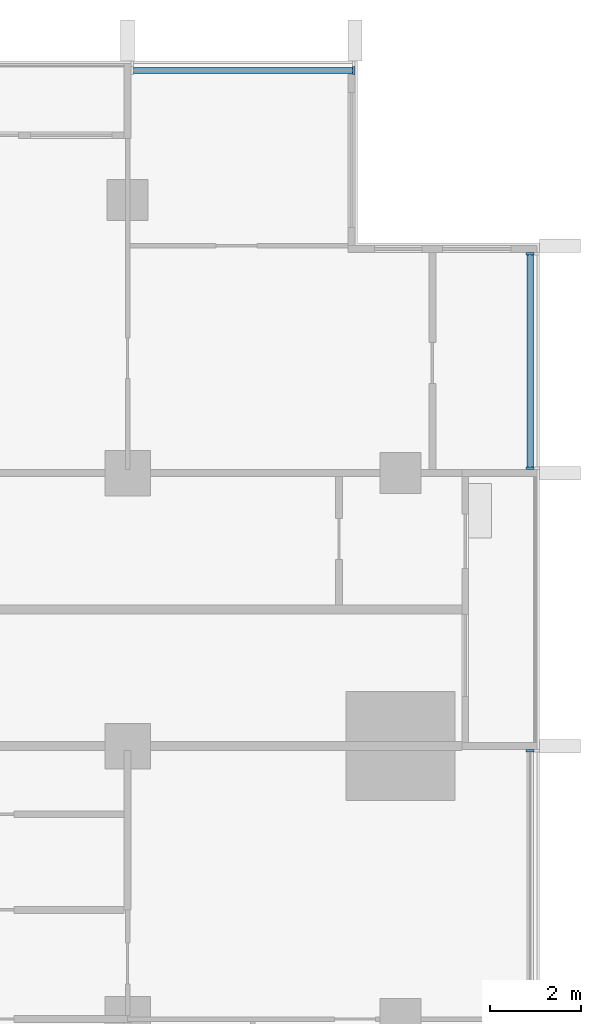
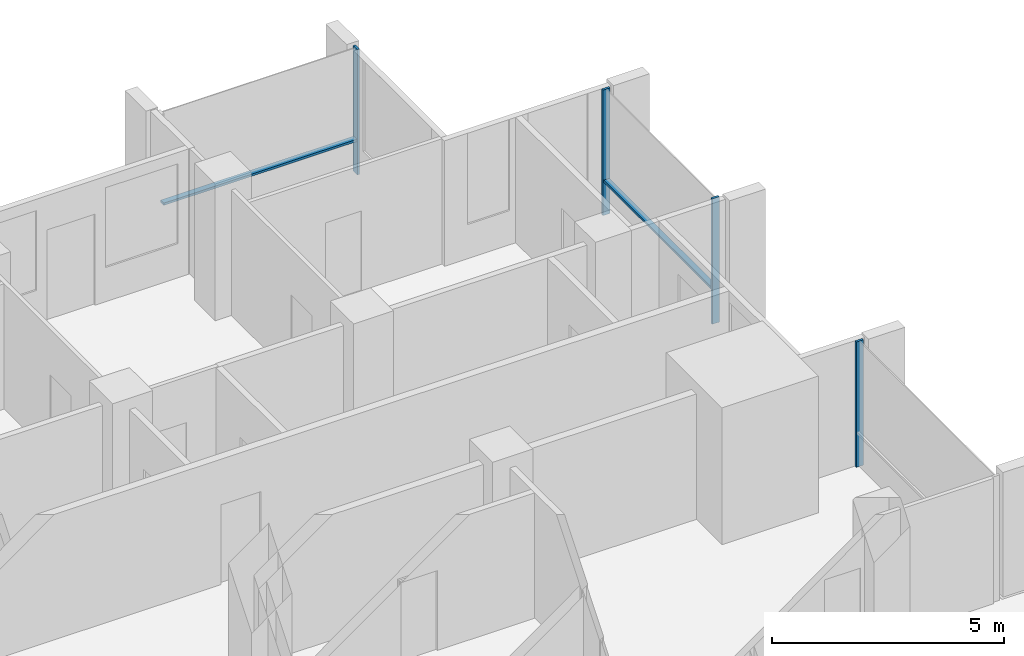
# One storey, part 5 of 16: 6 members, 3 elements without a shape of their own.
"""IFC4 building model written with IfcOpenShell, lengths in metres."""

import ifcopenshell
import ifcopenshell.guid

model = None  # the IFC model being written
_history = None  # IfcOwnerHistory: only IFC2X3 demands one
_inside = {}  # id of a spatial element -> (the spatial element, [elements in it])
_under = {}  # id of a project, library or spatial element -> (it, [spatial elements below it])
_declared = {}  # id of a project -> (the project, [libraries it declares])
_typed = {}  # id of a type object -> (the type object, [elements of that type])
_made_of = {}  # id of a material, layer set ... -> (it, [elements and type objects made of it])


def new_model(schema):
    """Start an empty IFC model of exactly this schema.

    Asked for "IFC4X3", IfcOpenShell would pick the latest addendum, in which some entities
    have other attributes; the version numbers below select the first issue.
    IFC2X3 requires an IfcOwnerHistory on every rooted entity: one is made here for all.
    """
    global model, _history
    if schema == "IFC4X3":
        model = ifcopenshell.file(schema_version=(4, 3, 0, 0))
    else:
        model = ifcopenshell.file(schema=schema)
    _inside.clear()
    _under.clear()
    _declared.clear()
    _typed.clear()
    _made_of.clear()
    _history = None
    if model.schema == "IFC2X3":
        org = make("IfcOrganization", Name="unknown")
        user = make(
            "IfcPersonAndOrganization",
            ThePerson=make("IfcPerson", FamilyName="unknown"),
            TheOrganization=org,
        )
        app = make(
            "IfcApplication",
            ApplicationDeveloper=org,
            Version="unknown",
            ApplicationFullName="unknown",
            ApplicationIdentifier="unknown",
        )
        _history = make(
            "IfcOwnerHistory",
            OwningUser=user,
            OwningApplication=app,
            ChangeAction="ADDED",
            CreationDate=0,
        )
    return model


def make(cls, **values):
    """One entity of the class cls with the attributes given. An attribute that is None is left unset."""
    return model.create_entity(
        cls, **{name: value for name, value in values.items() if value is not None}
    )


def rooted(cls, **values):
    """An entity with a GlobalId (a new one), such as an element, a storey or a relation."""
    return make(cls, GlobalId=ifcopenshell.guid.new(), OwnerHistory=_history, **values)


def si_unit(unit_type, name, prefix=None):
    """IfcSIUnit, for example si_unit("LENGTHUNIT", "METRE", prefix="MILLI")."""
    return make("IfcSIUnit", UnitType=unit_type, Prefix=prefix, Name=name)


def assignment(units):
    """IfcUnitAssignment: the units of a project."""
    return None if units is None else make("IfcUnitAssignment", Units=units)


def point(xyz):
    """IfcCartesianPoint."""
    return None if xyz is None else make("IfcCartesianPoint", Coordinates=xyz)


def direction(xyz):
    """IfcDirection."""
    return None if xyz is None else make("IfcDirection", DirectionRatios=xyz)


def frame(location, z_axis=None, x_axis=None):
    """IfcAxis2Placement3D, a coordinate frame: its origin and axes. An axis left out is left unset."""
    return make(
        "IfcAxis2Placement3D",
        Location=point(location),
        Axis=direction(z_axis),
        RefDirection=direction(x_axis),
    )


def frame_2d(location, x_axis=None):
    """IfcAxis2Placement2D, a coordinate frame in the plane: its origin and x axis."""
    return make(
        "IfcAxis2Placement2D", Location=point(location), RefDirection=direction(x_axis)
    )


def origin():
    """The frame at (0, 0, 0) with its axes left unset."""
    return frame((0.0, 0.0, 0.0))


def origin_2d():
    """The frame at (0, 0) in the plane with its x axis left unset."""
    return frame_2d((0.0, 0.0))


def place(relative_to, where):
    """IfcLocalPlacement: puts the frame where relative to a parent placement (None: the world)."""
    return make(
        "IfcLocalPlacement", PlacementRelTo=relative_to, RelativePlacement=where
    )


def context(
    kind, dimensions, precision=None, world=None, true_north=None, identifier=None
):
    """IfcGeometricRepresentationContext, for example the 3D "Model" context."""
    return make(
        "IfcGeometricRepresentationContext",
        ContextIdentifier=identifier,
        ContextType=kind,
        CoordinateSpaceDimension=dimensions,
        Precision=precision,
        WorldCoordinateSystem=world,
        TrueNorth=true_north,
    )


def subcontext(parent, identifier, kind, view, scale=None):
    """IfcGeometricRepresentationSubContext, for example "Body" below "Model"."""
    return make(
        "IfcGeometricRepresentationSubContext",
        ContextIdentifier=identifier,
        ContextType=kind,
        ParentContext=parent,
        TargetScale=scale,
        TargetView=view,
    )


def project(units=None, contexts=None):
    """IfcProject with its units and contexts."""
    return rooted(
        "IfcProject",
        Name="project",
        RepresentationContexts=contexts,
        UnitsInContext=assignment(units),
    )


def spatial(cls, under=None, at=None, **own):
    """A site, building, storey or space (cls), placed at a placement, below another one or the project."""
    s = rooted(cls, ObjectPlacement=at, **own)
    if under is not None:
        _under.setdefault(under.id(), (under, []))[1].append(s)
    return s


def profile(cls, at=None, kind="AREA", **sizes):
    """A parametric profile (cls). Its sizes go by their IFC names, for example OverallWidth=200.0."""
    return make(cls, ProfileType=kind, Position=at, **sizes)


def rectangle(**sizes):
    """IfcRectangleProfileDef."""
    return profile("IfcRectangleProfileDef", **sizes)


def extrude(swept, where, along, depth):
    """IfcExtrudedAreaSolid: the profile swept, set in the frame where, extruded along a direction by depth."""
    return make(
        "IfcExtrudedAreaSolid",
        SweptArea=swept,
        Position=where,
        ExtrudedDirection=direction(along),
        Depth=depth,
    )


def shape(context_of_items, identifier, shape_type, items):
    """IfcShapeRepresentation: the items that make up one representation, for example the "Body"."""
    return make(
        "IfcShapeRepresentation",
        ContextOfItems=context_of_items,
        RepresentationIdentifier=identifier,
        RepresentationType=shape_type,
        Items=items,
    )


def material(Name=None, Category=None):
    """IfcMaterial."""
    return make("IfcMaterial", Name=Name, Category=Category)


def material_profile(
    of_material, cross_section, Name=None, Category=None, Priority=None
):
    """IfcMaterialProfile: a cross section and its material."""
    return make(
        "IfcMaterialProfile",
        Name=Name,
        Material=of_material,
        Profile=cross_section,
        Priority=Priority,
        Category=Category,
    )


def profile_set(profiles, Name=None, composite=None):
    """IfcMaterialProfileSet."""
    return make(
        "IfcMaterialProfileSet",
        Name=Name,
        MaterialProfiles=profiles,
        CompositeProfile=composite,
    )


def made_of(thing, what):
    """Note that an element or type object is made of a material, layer set ...; save() writes the relation."""
    if what is not None:
        _made_of.setdefault(what.id(), (what, []))[1].append(thing)
    return thing


def type_object(cls, material=None, **own):
    """A type object (cls), such as IfcWallType, which elements share."""
    return made_of(rooted(cls, **own), material)


def element(
    cls,
    number,
    at=None,
    inside=None,
    cuts=None,
    type_object=None,
    material=None,
    context=None,
    identifier="Body",
    shape_type=None,
    held_by="IfcProductDefinitionShape",
    body=None,
    shapes=None,
    **own,
):
    """One element of the class cls, such as IfcWall. Its Tag is "e" and its number.

    at: its placement. inside: the storey or other place that contains it. cuts: it is an
    opening in that element (IfcRelVoidsElement). A single representation is given by context,
    identifier, shape_type and body (its items); several are given by shapes. held_by: the class
    of the entity that holds the representations. save() writes the other relations.
    """
    e = rooted(cls, Tag="e%d" % number, ObjectPlacement=at, **own)
    if body is not None:
        shapes = [shape(context, identifier, shape_type, body)]
    if shapes is not None:
        e.Representation = make(held_by, Representations=shapes)
    if inside is not None:
        _inside.setdefault(inside.id(), (inside, []))[1].append(e)
    if cuts is not None:
        rooted(
            "IfcRelVoidsElement", RelatingBuildingElement=cuts, RelatedOpeningElement=e
        )
    if type_object is not None:
        _typed.setdefault(type_object.id(), (type_object, []))[1].append(e)
    return made_of(e, material)


def aggregate(whole, parts):
    """IfcRelAggregates: a whole, such as a stair, and the parts it consists of."""
    return rooted("IfcRelAggregates", RelatingObject=whole, RelatedObjects=parts)


def save(model, path):
    """Write the relations noted so far, then the file.

    IfcRelAggregates (storeys below a building ...), IfcRelContainedInSpatialStructure (elements
    in a storey), IfcRelDefinesByType, IfcRelAssociatesMaterial and IfcRelDeclares: one each for
    every whole, place, type object, material and project.
    """
    for whole, parts in _under.values():
        aggregate(whole, parts)
    for where, things in _inside.values():
        rooted(
            "IfcRelContainedInSpatialStructure",
            RelatedElements=things,
            RelatingStructure=where,
        )
    for kind, things in _typed.values():
        rooted("IfcRelDefinesByType", RelatedObjects=things, RelatingType=kind)
    for what, things in _made_of.values():
        rooted("IfcRelAssociatesMaterial", RelatedObjects=things, RelatingMaterial=what)
    for by, libraries in _declared.values():
        rooted("IfcRelDeclares", RelatingContext=by, RelatedDefinitions=libraries)
    model.write(path)


model = new_model("IFC4")

# Units and contexts
model_context = context("Model", 3, precision=1e-05, world=origin(), true_north=direction((0.0, 1.0)))
body_context = subcontext(model_context, "Body", "Model", "MODEL_VIEW")
ifc_project = project(units=[si_unit("LENGTHUNIT", "METRE"), si_unit("AREAUNIT", "SQUARE_METRE"), si_unit("VOLUMEUNIT", "CUBIC_METRE"), si_unit("PLANEANGLEUNIT", "RADIAN"), si_unit("MASSUNIT", "GRAM", prefix="KILO")], contexts=[model_context])

# Site, building, storey
site_placement = place(None, origin())
site = spatial("IfcSite", under=ifc_project, at=site_placement, CompositionType="ELEMENT")
building_placement = place(site_placement, origin())
building = spatial("IfcBuilding", under=site, at=building_placement, Name="Finial Court Residences", CompositionType="ELEMENT")
storey_placement = place(building_placement, frame((0.0, 0.0, 156.5)))
storey = spatial("IfcBuildingStorey", under=building, at=storey_placement, Name="L38", CompositionType="ELEMENT", Elevation=156.5)

# Curtain wall, member
ifc_material = material(Name="Bronze anodised aluminium", Category="aluminium")
curtain_wall_type = type_object("IfcCurtainWallType", Name="Unitised curtain wall, upper zones", PredefinedType="NOTDEFINED", material=ifc_material)
curtain_wall_1_placement = place(storey_placement, origin())
curtain_wall_1 = element("IfcCurtainWall", 1, at=curtain_wall_1_placement, inside=storey, type_object=curtain_wall_type, Name="E-L38-CW-N3", PredefinedType="NOTDEFINED")
ifc_material_profile_1 = material_profile(ifc_material, rectangle(XDim=0.175048828125, YDim=0.06005859375, at=origin_2d()), Name="CW2 mullion 60 x 175")
ifc_profile_set_1 = profile_set([ifc_material_profile_1], Name="Bronze anodised aluminium")
member_type_1 = type_object("IfcMemberType", Name="CW2 mullion 60 x 175", PredefinedType="MULLION", material=ifc_profile_set_1)
member_1_placement = place(storey_placement, frame((15.469970703125, 22.35009765625, 0.0), z_axis=(0.0, 0.0, 1.0), x_axis=(0.0, 1.0, 0.0)))
member_1 = element("IfcMember", 2, at=member_1_placement, type_object=member_type_1, Name="CW2 mullion 2", PredefinedType="MULLION", context=body_context, shape_type="SweptSolid", body=[
    extrude(rectangle(XDim=0.175048828125, YDim=0.06005859375, at=origin_2d()), origin(), (0.0, 0.0, 1.0), 3.300048828125),
])

curtain_wall_2_placement = place(storey_placement, origin())
curtain_wall_2 = element("IfcCurtainWall", 3, at=curtain_wall_2_placement, inside=storey, type_object=curtain_wall_type, Name="E-L38-CW-E6", PredefinedType="NOTDEFINED")
member_2_placement = place(storey_placement, frame((19.35009765625, 7.39501953125, 0.0), z_axis=(0.0, 0.0, 1.0), x_axis=(-1.0, 0.0, 0.0)))
member_2 = element("IfcMember", 4, at=member_2_placement, type_object=member_type_1, Name="CW2 mullion 2", PredefinedType="MULLION", context=body_context, shape_type="SweptSolid", body=[
    extrude(rectangle(XDim=0.175048828125, YDim=0.06005859375, at=origin_2d()), origin(), (0.0, 0.0, 1.0), 3.300048828125),
])
aggregate(curtain_wall_2, [member_2])

# Curtain wall, members
curtain_wall_3_placement = place(storey_placement, origin())
curtain_wall_3 = element("IfcCurtainWall", 5, at=curtain_wall_3_placement, inside=storey, type_object=curtain_wall_type, Name="E-L38-CW-E7", PredefinedType="NOTDEFINED")
member_3_placement = place(storey_placement, frame((19.35009765625, 13.60498046875, 0.0), z_axis=(0.0, 0.0, 1.0), x_axis=(-1.0, 0.0, 0.0)))
member_3 = element("IfcMember", 6, at=member_3_placement, type_object=member_type_1, Name="CW2 mullion 1", PredefinedType="MULLION", context=body_context, shape_type="SweptSolid", body=[
    extrude(rectangle(XDim=0.175048828125, YDim=0.06005859375, at=origin_2d()), origin(), (0.0, 0.0, 1.0), 3.300048828125),
])
member_4_placement = place(storey_placement, frame((19.35009765625, 18.320068359375, 0.0), z_axis=(0.0, 0.0, 1.0), x_axis=(-1.0, 0.0, 0.0)))
member_4 = element("IfcMember", 7, at=member_4_placement, type_object=member_type_1, Name="CW2 mullion 2", PredefinedType="MULLION", context=body_context, shape_type="SweptSolid", body=[
    extrude(rectangle(XDim=0.175048828125, YDim=0.06005859375, at=origin_2d()), origin(), (0.0, 0.0, 1.0), 3.300048828125),
])

# Member
ifc_material_profile_2 = material_profile(ifc_material, rectangle(XDim=0.139892578125, YDim=0.06005859375, at=origin_2d()), Name="CW2 transom 60 x 140")
ifc_profile_set_2 = profile_set([ifc_material_profile_2], Name="Bronze anodised aluminium")
member_type_2 = type_object("IfcMemberType", Name="CW2 transom 60 x 140", PredefinedType="USERDEFINED", material=ifc_profile_set_2)
member_5_placement = place(storey_placement, frame((10.635009765625, 22.35009765625, 0.89990234375), z_axis=(1.0, 0.0, 0.0), x_axis=(0.0, 1.0, 0.0)))
member_5 = element("IfcMember", 8, at=member_5_placement, type_object=member_type_2, Name="CW2 transom 1.1", ObjectType="TRANSOM", PredefinedType="USERDEFINED", context=body_context, shape_type="SweptSolid", body=[
    extrude(rectangle(XDim=0.139892578125, YDim=0.06005859375, at=origin_2d()), origin(), (0.0, 0.0, 1.0), 4.804931640625),
])

aggregate(curtain_wall_1, [member_1, member_5])

member_6_placement = place(storey_placement, frame((19.35009765625, 13.635009765625, 0.89990234375), z_axis=(0.0, 1.0, 0.0), x_axis=(-1.0, 0.0, 0.0)))
member_6 = element("IfcMember", 9, at=member_6_placement, type_object=member_type_2, Name="CW2 transom 1.1", ObjectType="TRANSOM", PredefinedType="USERDEFINED", context=body_context, shape_type="SweptSolid", body=[
    extrude(rectangle(XDim=0.139892578125, YDim=0.06005859375, at=origin_2d()), origin(), (0.0, 0.0, 1.0), 4.655029296875),
])

aggregate(curtain_wall_3, [member_3, member_4, member_6])

save(model, "model.ifc")
